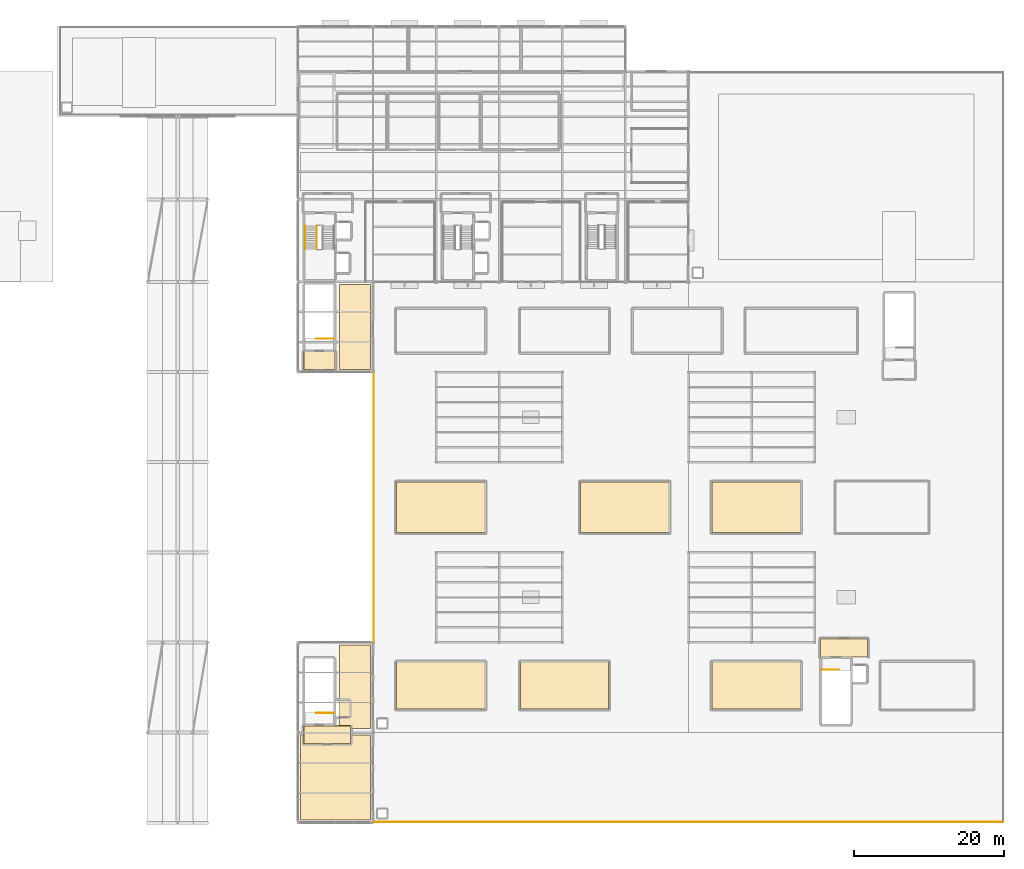
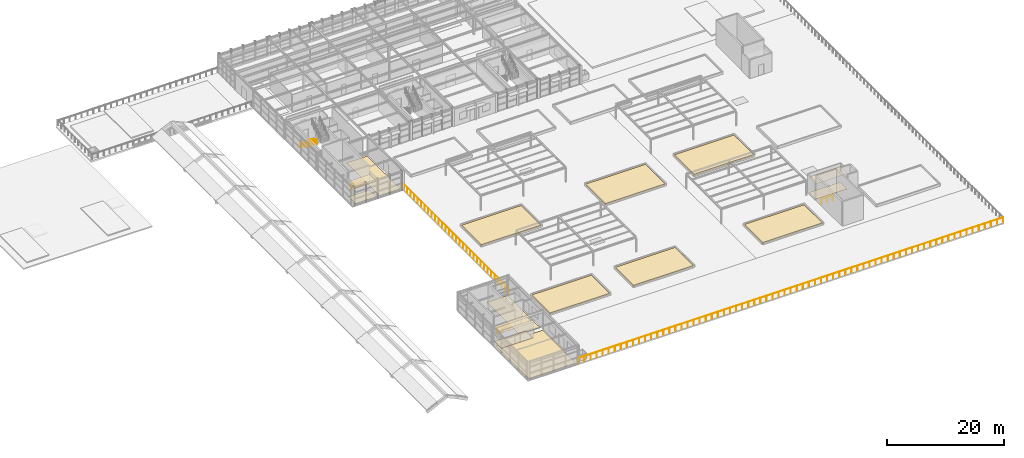
# One storey, part 46 of 49: 15 coverings, 7 railings.
"""IFC4 building model written with IfcOpenShell, lengths in metres."""

from ifc_helpers import new_model, si_unit, direction, frame, origin, origin_2d, place, context, subcontext, project, spatial, polyline, circle, outline, extrude, material, layer, layer_set, type_object, element, save


model = new_model("IFC4")

# Units and contexts
model_context = context("Model", 3, precision=1e-05, world=origin(), true_north=direction((0.0, 1.0)))
body_context = subcontext(model_context, "Body", "Model", "MODEL_VIEW")
ifc_project = project(units=[si_unit("LENGTHUNIT", "METRE"), si_unit("AREAUNIT", "SQUARE_METRE"), si_unit("VOLUMEUNIT", "CUBIC_METRE"), si_unit("PLANEANGLEUNIT", "RADIAN"), si_unit("MASSUNIT", "GRAM", prefix="KILO")], contexts=[model_context])

# Site, building, storey
site_placement = place(None, origin())
site = spatial("IfcSite", under=ifc_project, at=site_placement, CompositionType="ELEMENT")
building_placement = place(site_placement, origin())
building = spatial("IfcBuilding", under=site, at=building_placement, Name="Sitalva Quay Ferry Terminal", CompositionType="ELEMENT")
storey_placement = place(building_placement, frame((0.0, 0.0, 10.199951171875)))
storey = spatial("IfcBuildingStorey", under=building, at=storey_placement, Name="L03", CompositionType="ELEMENT", Elevation=10.199951171875)

# Coverings
ifc_material_1 = material(Name="Moisture-Resistant Acoustic Gypsum Ceiling", Category="gypsum")
ifc_layer_1 = layer(ifc_material_1, 0.02490234375)
ifc_layer_set_1 = layer_set([ifc_layer_1], Name="Moisture-Resistant Acoustic Gypsum Ceiling")
covering_type_1 = type_object("IfcCoveringType", Name="Ceiling_GypsumMoisture_25", PredefinedType="CEILING", material=ifc_layer_set_1)
covering_1_placement = place(storey_placement, frame((0.0, 0.0, 3.22509765625)))
element("IfcCovering", 1, at=covering_1_placement, inside=storey, type_object=covering_type_1, Name="Firefighting & Lift Lobby C6 ceiling", PredefinedType="CEILING", context=body_context, shape_type="SweptSolid", body=[
    extrude(outline(polyline([(74.739990234375, 16.489990234375), (81.06005859375, 16.489990234375), (81.06005859375, 18.9599609375), (74.739990234375, 18.9599609375), (74.739990234375, 16.489990234375)])), origin(), (0.0, 0.0, 1.0), 0.02490234375),
])
covering_2_placement = place(storey_placement, frame((0.0, 0.0, 3.22509765625)))
element("IfcCovering", 2, at=covering_2_placement, inside=storey, type_object=covering_type_1, Name="Firefighting & Lift Lobby C8 ceiling", PredefinedType="CEILING", context=body_context, shape_type="SweptSolid", body=[
    extrude(outline(polyline([(143.5400390625, 28.0400390625), (149.860107421875, 28.0400390625), (149.860107421875, 30.510009765625), (143.5400390625, 30.510009765625), (143.5400390625, 28.0400390625)])), origin(), (0.0, 0.0, 1.0), 0.02490234375),
])
covering_3_placement = place(storey_placement, frame((0.0, 0.0, 3.22509765625)))
element("IfcCovering", 3, at=covering_3_placement, inside=storey, type_object=covering_type_1, Name="Firefighting & Lift Lobby C11 ceiling", PredefinedType="CEILING", context=body_context, shape_type="SweptSolid", body=[
    extrude(outline(polyline([(74.739990234375, 66.2900390625), (78.9599609375, 66.2900390625), (78.9599609375, 68.760009765625), (74.739990234375, 68.760009765625), (74.739990234375, 66.2900390625)])), origin(), (0.0, 0.0, 1.0), 0.02490234375),
])
ifc_material_2 = material(Name="Planted Roof Garden Soil & Native Monsoon Flora", Category="earth")
ifc_layer_2 = layer(ifc_material_2, 0.300048828125)
ifc_layer_set_2 = layer_set([ifc_layer_2], Name="Planted Roof Garden Soil & Native Monsoon Flora")
covering_type_2 = type_object("IfcCoveringType", Name="Covering_PlantedParterre_300", PredefinedType="FLOORING", material=ifc_layer_set_2)
covering_4_placement = place(storey_placement, origin())
element("IfcCovering", 4, at=covering_4_placement, inside=storey, type_object=covering_type_2, Name="Landscaped roof-park planted parterre bed 01", PredefinedType="FLOORING", context=body_context, shape_type="SweptSolid", body=[
    extrude(outline(polyline([(87.1201171875, 21.1201171875), (98.8798828125, 21.1201171875), (98.8798828125, 27.3798828125), (87.1201171875, 27.3798828125), (87.1201171875, 21.1201171875)])), origin(), (0.0, 0.0, 1.0), 0.300048828125),
])
covering_5_placement = place(storey_placement, origin())
element("IfcCovering", 5, at=covering_5_placement, inside=storey, type_object=covering_type_2, Name="Landscaped roof-park planted parterre bed 02", PredefinedType="FLOORING", context=body_context, shape_type="SweptSolid", body=[
    extrude(outline(polyline([(103.6201171875, 21.1201171875), (115.3798828125, 21.1201171875), (115.3798828125, 27.3798828125), (103.6201171875, 27.3798828125), (103.6201171875, 21.1201171875)])), origin(), (0.0, 0.0, 1.0), 0.300048828125),
])
covering_6_placement = place(storey_placement, origin())
element("IfcCovering", 6, at=covering_6_placement, inside=storey, type_object=covering_type_2, Name="Landscaped roof-park planted parterre bed 03", PredefinedType="FLOORING", context=body_context, shape_type="SweptSolid", body=[
    extrude(outline(polyline([(129.1201171875, 21.1201171875), (140.8798828125, 21.1201171875), (140.8798828125, 27.3798828125), (129.1201171875, 27.3798828125), (129.1201171875, 21.1201171875)])), origin(), (0.0, 0.0, 1.0), 0.300048828125),
])
covering_7_placement = place(storey_placement, origin())
element("IfcCovering", 7, at=covering_7_placement, inside=storey, type_object=covering_type_2, Name="Landscaped roof-park planted parterre bed 05", PredefinedType="FLOORING", context=body_context, shape_type="SweptSolid", body=[
    extrude(outline(polyline([(87.1201171875, 44.6201171875), (98.8798828125, 44.6201171875), (98.8798828125, 51.3798828125), (87.1201171875, 51.3798828125), (87.1201171875, 44.6201171875)])), origin(), (0.0, 0.0, 1.0), 0.300048828125),
])
covering_8_placement = place(storey_placement, origin())
element("IfcCovering", 8, at=covering_8_placement, inside=storey, type_object=covering_type_2, Name="Landscaped roof-park planted parterre bed 06", PredefinedType="FLOORING", context=body_context, shape_type="SweptSolid", body=[
    extrude(outline(polyline([(111.6201171875, 44.6201171875), (123.3798828125, 44.6201171875), (123.3798828125, 51.3798828125), (111.6201171875, 51.3798828125), (111.6201171875, 44.6201171875)])), origin(), (0.0, 0.0, 1.0), 0.300048828125),
])
covering_9_placement = place(storey_placement, origin())
element("IfcCovering", 9, at=covering_9_placement, inside=storey, type_object=covering_type_2, Name="Landscaped roof-park planted parterre bed 07", PredefinedType="FLOORING", context=body_context, shape_type="SweptSolid", body=[
    extrude(outline(polyline([(129.1201171875, 44.6201171875), (140.8798828125, 44.6201171875), (140.8798828125, 51.3798828125), (129.1201171875, 51.3798828125), (129.1201171875, 44.6201171875)])), origin(), (0.0, 0.0, 1.0), 0.300048828125),
])
ifc_material_3 = material(Name="Flamed Non-Slip Granite Paving", Category="masonry")
ifc_layer_3 = layer(ifc_material_3, 0.034912109375)
ifc_layer_set_3 = layer_set([ifc_layer_3], Name="Flamed Non-Slip Granite Paving")
covering_type_3 = type_object("IfcCoveringType", Name="Finish_Granite_35", PredefinedType="FLOORING", material=ifc_layer_set_3)
covering_10_placement = place(storey_placement, origin())
element("IfcCovering", 10, at=covering_10_placement, inside=storey, type_object=covering_type_3, Name="Firefighting & Lift Lobby C6 floor finish", PredefinedType="FLOORING", context=body_context, shape_type="SweptSolid", body=[
    extrude(outline(polyline([(74.7900390625, 16.5400390625), (81.010009765625, 16.5400390625), (81.010009765625, 18.909912109375), (74.7900390625, 18.909912109375), (74.7900390625, 16.5400390625)])), origin(), (0.0, 0.0, 1.0), 0.03515625),
])
covering_11_placement = place(storey_placement, origin())
element("IfcCovering", 11, at=covering_11_placement, inside=storey, type_object=covering_type_3, Name="Firefighting & Lift Lobby C8 floor finish", PredefinedType="FLOORING", context=body_context, shape_type="SweptSolid", body=[
    extrude(outline(polyline([(143.590087890625, 28.090087890625), (149.81005859375, 28.090087890625), (149.81005859375, 30.4599609375), (143.590087890625, 30.4599609375), (143.590087890625, 28.090087890625)])), origin(), (0.0, 0.0, 1.0), 0.03515625),
])
covering_12_placement = place(storey_placement, origin())
element("IfcCovering", 12, at=covering_12_placement, inside=storey, type_object=covering_type_3, Name="Firefighting & Lift Lobby C11 floor finish", PredefinedType="FLOORING", context=body_context, shape_type="SweptSolid", body=[
    extrude(outline(polyline([(74.7900390625, 66.340087890625), (78.909912109375, 66.340087890625), (78.909912109375, 68.7099609375), (74.7900390625, 68.7099609375), (74.7900390625, 66.340087890625)])), origin(), (0.0, 0.0, 1.0), 0.03515625),
])
covering_13_placement = place(storey_placement, origin())
element("IfcCovering", 13, at=covering_13_placement, inside=storey, type_object=covering_type_3, Name="Waterfront Promenade Cafe & Terrace Lounge flooring", PredefinedType="FLOORING", context=body_context, shape_type="SweptSolid", body=[
    extrude(outline(polyline([(74.35009765625, 6.35009765625), (83.64990234375, 6.35009765625), (83.64990234375, 17.64990234375), (74.35009765625, 17.64990234375), (74.35009765625, 6.35009765625)])), origin(), (0.0, 0.0, 1.0), 0.03515625),
])
covering_14_placement = place(storey_placement, origin())
element("IfcCovering", 14, at=covering_14_placement, inside=storey, type_object=covering_type_3, Name="Roof Park South Pavilion Lobby flooring", PredefinedType="FLOORING", context=body_context, shape_type="SweptSolid", body=[
    extrude(outline(polyline([(79.550048828125, 18.550048828125), (83.64990234375, 18.550048828125), (83.64990234375, 29.64990234375), (79.550048828125, 29.64990234375), (79.550048828125, 18.550048828125)])), origin(), (0.0, 0.0, 1.0), 0.03515625),
])
covering_15_placement = place(storey_placement, origin())
element("IfcCovering", 15, at=covering_15_placement, inside=storey, type_object=covering_type_3, Name="Roof Park North Pavilion Link flooring", PredefinedType="FLOORING", context=body_context, shape_type="SweptSolid", body=[
    extrude(outline(polyline([(79.550048828125, 66.35009765625), (83.64990234375, 66.35009765625), (83.64990234375, 77.64990234375), (79.550048828125, 77.64990234375), (79.550048828125, 66.35009765625)])), origin(), (0.0, 0.0, 1.0), 0.03515625),
])

# Railings
ifc_material_4 = material(Name="Stainless Steel 316L & Laminated Glass", Category="steel")
railing_type_1 = type_object("IfcRailingType", Name="Railing_Balustrade_1120", PredefinedType="BALUSTRADE", material=ifc_material_4)
railing_1_placement = place(storey_placement, frame((84.050048828125, 6.10009765625, 0.0)))
element("IfcRailing", 16, at=railing_1_placement, inside=storey, type_object=railing_type_1, Name="L03 L03 promenade and east roof park balustrade 035", PredefinedType="BALUSTRADE", context=body_context, shape_type="SweptSolid", body=[
    extrude(circle(Radius=0.02392578125, at=origin_2d()), frame((0.0, 0.0, 1.09619140625), z_axis=(1.0, 0.0, 0.0), x_axis=(0.0, 1.0, 0.0)), (0.0, 0.0, 1.0), 83.849853515625),
    extrude(circle(Radius=0.02099609375, at=origin_2d()), origin(), (0.0, 0.0, 1.0), 1.072021484375),
    extrude(circle(Radius=0.02099609375, at=origin_2d()), frame((1.19775390625, 0.0, 0.0)), (0.0, 0.0, 1.0), 1.072021484375),
    extrude(circle(Radius=0.02099609375, at=origin_2d()), frame((2.395751953125, 0.0, 0.0)), (0.0, 0.0, 1.0), 1.072021484375),
    extrude(circle(Radius=0.02099609375, at=origin_2d()), frame((3.593505859375, 0.0, 0.0)), (0.0, 0.0, 1.0), 1.072021484375),
    extrude(circle(Radius=0.02099609375, at=origin_2d()), frame((4.79150390625, 0.0, 0.0)), (0.0, 0.0, 1.0), 1.072021484375),
    extrude(circle(Radius=0.02099609375, at=origin_2d()), frame((5.9892578125, 0.0, 0.0)), (0.0, 0.0, 1.0), 1.072021484375),
    extrude(circle(Radius=0.02099609375, at=origin_2d()), frame((7.18701171875, 0.0, 0.0)), (0.0, 0.0, 1.0), 1.072021484375),
    extrude(circle(Radius=0.02099609375, at=origin_2d()), frame((8.385009765625, 0.0, 0.0)), (0.0, 0.0, 1.0), 1.072021484375),
    extrude(circle(Radius=0.02099609375, at=origin_2d()), frame((9.582763671875, 0.0, 0.0)), (0.0, 0.0, 1.0), 1.072021484375),
    extrude(circle(Radius=0.02099609375, at=origin_2d()), frame((10.78076171875, 0.0, 0.0)), (0.0, 0.0, 1.0), 1.072021484375),
    extrude(circle(Radius=0.02099609375, at=origin_2d()), frame((11.978515625, 0.0, 0.0)), (0.0, 0.0, 1.0), 1.072021484375),
    extrude(circle(Radius=0.02099609375, at=origin_2d()), frame((13.176513671875, 0.0, 0.0)), (0.0, 0.0, 1.0), 1.072021484375),
    extrude(circle(Radius=0.02099609375, at=origin_2d()), frame((14.374267578125, 0.0, 0.0)), (0.0, 0.0, 1.0), 1.072021484375),
    extrude(circle(Radius=0.02099609375, at=origin_2d()), frame((15.572021484375, 0.0, 0.0)), (0.0, 0.0, 1.0), 1.072021484375),
    extrude(circle(Radius=0.02099609375, at=origin_2d()), frame((16.77001953125, 0.0, 0.0)), (0.0, 0.0, 1.0), 1.072021484375),
    extrude(circle(Radius=0.02099609375, at=origin_2d()), frame((17.9677734375, 0.0, 0.0)), (0.0, 0.0, 1.0), 1.072021484375),
    extrude(circle(Radius=0.02099609375, at=origin_2d()), frame((19.165771484375, 0.0, 0.0)), (0.0, 0.0, 1.0), 1.072021484375),
    extrude(circle(Radius=0.02099609375, at=origin_2d()), frame((20.363525390625, 0.0, 0.0)), (0.0, 0.0, 1.0), 1.072021484375),
    extrude(circle(Radius=0.02099609375, at=origin_2d()), frame((21.561279296875, 0.0, 0.0)), (0.0, 0.0, 1.0), 1.072021484375),
    extrude(circle(Radius=0.02099609375, at=origin_2d()), frame((22.75927734375, 0.0, 0.0)), (0.0, 0.0, 1.0), 1.072021484375),
    extrude(circle(Radius=0.02099609375, at=origin_2d()), frame((23.95703125, 0.0, 0.0)), (0.0, 0.0, 1.0), 1.072021484375),
    extrude(circle(Radius=0.02099609375, at=origin_2d()), frame((25.155029296875, 0.0, 0.0)), (0.0, 0.0, 1.0), 1.072021484375),
    extrude(circle(Radius=0.02099609375, at=origin_2d()), frame((26.352783203125, 0.0, 0.0)), (0.0, 0.0, 1.0), 1.072021484375),
    extrude(circle(Radius=0.02099609375, at=origin_2d()), frame((27.55078125, 0.0, 0.0)), (0.0, 0.0, 1.0), 1.072021484375),
    extrude(circle(Radius=0.02099609375, at=origin_2d()), frame((28.74853515625, 0.0, 0.0)), (0.0, 0.0, 1.0), 1.072021484375),
    extrude(circle(Radius=0.02099609375, at=origin_2d()), frame((29.9462890625, 0.0, 0.0)), (0.0, 0.0, 1.0), 1.072021484375),
    extrude(circle(Radius=0.02099609375, at=origin_2d()), frame((31.144287109375, 0.0, 0.0)), (0.0, 0.0, 1.0), 1.072021484375),
    extrude(circle(Radius=0.02099609375, at=origin_2d()), frame((32.342041015625, 0.0, 0.0)), (0.0, 0.0, 1.0), 1.072021484375),
    extrude(circle(Radius=0.02099609375, at=origin_2d()), frame((33.5400390625, 0.0, 0.0)), (0.0, 0.0, 1.0), 1.072021484375),
    extrude(circle(Radius=0.02099609375, at=origin_2d()), frame((34.73779296875, 0.0, 0.0)), (0.0, 0.0, 1.0), 1.072021484375),
    extrude(circle(Radius=0.02099609375, at=origin_2d()), frame((35.935546875, 0.0, 0.0)), (0.0, 0.0, 1.0), 1.072021484375),
    extrude(circle(Radius=0.02099609375, at=origin_2d()), frame((37.133544921875, 0.0, 0.0)), (0.0, 0.0, 1.0), 1.072021484375),
    extrude(circle(Radius=0.02099609375, at=origin_2d()), frame((38.331298828125, 0.0, 0.0)), (0.0, 0.0, 1.0), 1.072021484375),
    extrude(circle(Radius=0.02099609375, at=origin_2d()), frame((39.529296875, 0.0, 0.0)), (0.0, 0.0, 1.0), 1.072021484375),
    extrude(circle(Radius=0.02099609375, at=origin_2d()), frame((40.72705078125, 0.0, 0.0)), (0.0, 0.0, 1.0), 1.072021484375),
    extrude(circle(Radius=0.02099609375, at=origin_2d()), frame((41.9248046875, 0.0, 0.0)), (0.0, 0.0, 1.0), 1.072021484375),
    extrude(circle(Radius=0.02099609375, at=origin_2d()), frame((43.122802734375, 0.0, 0.0)), (0.0, 0.0, 1.0), 1.072021484375),
    extrude(circle(Radius=0.02099609375, at=origin_2d()), frame((44.320556640625, 0.0, 0.0)), (0.0, 0.0, 1.0), 1.072021484375),
    extrude(circle(Radius=0.02099609375, at=origin_2d()), frame((45.5185546875, 0.0, 0.0)), (0.0, 0.0, 1.0), 1.072021484375),
    extrude(circle(Radius=0.02099609375, at=origin_2d()), frame((46.71630859375, 0.0, 0.0)), (0.0, 0.0, 1.0), 1.072021484375),
    extrude(circle(Radius=0.02099609375, at=origin_2d()), frame((47.914306640625, 0.0, 0.0)), (0.0, 0.0, 1.0), 1.072021484375),
    extrude(circle(Radius=0.02099609375, at=origin_2d()), frame((49.112060546875, 0.0, 0.0)), (0.0, 0.0, 1.0), 1.072021484375),
    extrude(circle(Radius=0.02099609375, at=origin_2d()), frame((50.309814453125, 0.0, 0.0)), (0.0, 0.0, 1.0), 1.072021484375),
    extrude(circle(Radius=0.02099609375, at=origin_2d()), frame((51.5078125, 0.0, 0.0)), (0.0, 0.0, 1.0), 1.072021484375),
    extrude(circle(Radius=0.02099609375, at=origin_2d()), frame((52.70556640625, 0.0, 0.0)), (0.0, 0.0, 1.0), 1.072021484375),
    extrude(circle(Radius=0.02099609375, at=origin_2d()), frame((53.903564453125, 0.0, 0.0)), (0.0, 0.0, 1.0), 1.072021484375),
    extrude(circle(Radius=0.02099609375, at=origin_2d()), frame((55.101318359375, 0.0, 0.0)), (0.0, 0.0, 1.0), 1.072021484375),
    extrude(circle(Radius=0.02099609375, at=origin_2d()), frame((56.299072265625, 0.0, 0.0)), (0.0, 0.0, 1.0), 1.072021484375),
    extrude(circle(Radius=0.02099609375, at=origin_2d()), frame((57.4970703125, 0.0, 0.0)), (0.0, 0.0, 1.0), 1.072021484375),
    extrude(circle(Radius=0.02099609375, at=origin_2d()), frame((58.69482421875, 0.0, 0.0)), (0.0, 0.0, 1.0), 1.072021484375),
    extrude(circle(Radius=0.02099609375, at=origin_2d()), frame((59.892822265625, 0.0, 0.0)), (0.0, 0.0, 1.0), 1.072021484375),
    extrude(circle(Radius=0.02099609375, at=origin_2d()), frame((61.090576171875, 0.0, 0.0)), (0.0, 0.0, 1.0), 1.072021484375),
    extrude(circle(Radius=0.02099609375, at=origin_2d()), frame((62.28857421875, 0.0, 0.0)), (0.0, 0.0, 1.0), 1.072021484375),
    extrude(circle(Radius=0.02099609375, at=origin_2d()), frame((63.486328125, 0.0, 0.0)), (0.0, 0.0, 1.0), 1.072021484375),
    extrude(circle(Radius=0.02099609375, at=origin_2d()), frame((64.68408203125, 0.0, 0.0)), (0.0, 0.0, 1.0), 1.072021484375),
    extrude(circle(Radius=0.02099609375, at=origin_2d()), frame((65.882080078125, 0.0, 0.0)), (0.0, 0.0, 1.0), 1.072021484375),
    extrude(circle(Radius=0.02099609375, at=origin_2d()), frame((67.079833984375, 0.0, 0.0)), (0.0, 0.0, 1.0), 1.072021484375),
    extrude(circle(Radius=0.02099609375, at=origin_2d()), frame((68.27783203125, 0.0, 0.0)), (0.0, 0.0, 1.0), 1.072021484375),
    extrude(circle(Radius=0.02099609375, at=origin_2d()), frame((69.4755859375, 0.0, 0.0)), (0.0, 0.0, 1.0), 1.072021484375),
    extrude(circle(Radius=0.02099609375, at=origin_2d()), frame((70.67333984375, 0.0, 0.0)), (0.0, 0.0, 1.0), 1.072021484375),
    extrude(circle(Radius=0.02099609375, at=origin_2d()), frame((71.871337890625, 0.0, 0.0)), (0.0, 0.0, 1.0), 1.072021484375),
    extrude(circle(Radius=0.02099609375, at=origin_2d()), frame((73.069091796875, 0.0, 0.0)), (0.0, 0.0, 1.0), 1.072021484375),
    extrude(circle(Radius=0.02099609375, at=origin_2d()), frame((74.26708984375, 0.0, 0.0)), (0.0, 0.0, 1.0), 1.072021484375),
    extrude(circle(Radius=0.02099609375, at=origin_2d()), frame((75.46484375, 0.0, 0.0)), (0.0, 0.0, 1.0), 1.072021484375),
    extrude(circle(Radius=0.02099609375, at=origin_2d()), frame((76.662841796875, 0.0, 0.0)), (0.0, 0.0, 1.0), 1.072021484375),
    extrude(circle(Radius=0.02099609375, at=origin_2d()), frame((77.860595703125, 0.0, 0.0)), (0.0, 0.0, 1.0), 1.072021484375),
    extrude(circle(Radius=0.02099609375, at=origin_2d()), frame((79.058349609375, 0.0, 0.0)), (0.0, 0.0, 1.0), 1.072021484375),
    extrude(circle(Radius=0.02099609375, at=origin_2d()), frame((80.25634765625, 0.0, 0.0)), (0.0, 0.0, 1.0), 1.072021484375),
    extrude(circle(Radius=0.02099609375, at=origin_2d()), frame((81.4541015625, 0.0, 0.0)), (0.0, 0.0, 1.0), 1.072021484375),
    extrude(circle(Radius=0.02099609375, at=origin_2d()), frame((82.652099609375, 0.0, 0.0)), (0.0, 0.0, 1.0), 1.072021484375),
    extrude(circle(Radius=0.02099609375, at=origin_2d()), frame((83.849853515625, 0.0, 0.0)), (0.0, 0.0, 1.0), 1.072021484375),
])
railing_2_placement = place(storey_placement, frame((84.10009765625, 30.050048828125, 0.0)))
element("IfcRailing", 17, at=railing_2_placement, inside=storey, type_object=railing_type_1, Name="L03 L03 roof park east-court balustrade 038", PredefinedType="BALUSTRADE", context=body_context, shape_type="SweptSolid", body=[
    extrude(circle(Radius=0.02392578125, at=origin_2d()), frame((0.0, 0.0, 1.09619140625), z_axis=(0.0, 1.0, 0.0), x_axis=(-1.0, 0.0, 0.0)), (0.0, 0.0, 1.0), 35.89990234375),
    extrude(circle(Radius=0.02099609375, at=origin_2d()), origin(), (0.0, 0.0, 1.0), 1.072021484375),
    extrude(circle(Radius=0.02099609375, at=origin_2d()), frame((0.0, 1.19677734375, 0.0)), (0.0, 0.0, 1.0), 1.072021484375),
    extrude(circle(Radius=0.02099609375, at=origin_2d()), frame((0.0, 2.393310546875, 0.0)), (0.0, 0.0, 1.0), 1.072021484375),
    extrude(circle(Radius=0.02099609375, at=origin_2d()), frame((0.0, 3.590087890625, 0.0)), (0.0, 0.0, 1.0), 1.072021484375),
    extrude(circle(Radius=0.02099609375, at=origin_2d()), frame((0.0, 4.78662109375, 0.0)), (0.0, 0.0, 1.0), 1.072021484375),
    extrude(circle(Radius=0.02099609375, at=origin_2d()), frame((0.0, 5.9833984375, 0.0)), (0.0, 0.0, 1.0), 1.072021484375),
    extrude(circle(Radius=0.02099609375, at=origin_2d()), frame((0.0, 7.179931640625, 0.0)), (0.0, 0.0, 1.0), 1.072021484375),
    extrude(circle(Radius=0.02099609375, at=origin_2d()), frame((0.0, 8.376708984375, 0.0)), (0.0, 0.0, 1.0), 1.072021484375),
    extrude(circle(Radius=0.02099609375, at=origin_2d()), frame((0.0, 9.5732421875, 0.0)), (0.0, 0.0, 1.0), 1.072021484375),
    extrude(circle(Radius=0.02099609375, at=origin_2d()), frame((0.0, 10.77001953125, 0.0)), (0.0, 0.0, 1.0), 1.072021484375),
    extrude(circle(Radius=0.02099609375, at=origin_2d()), frame((0.0, 11.966552734375, 0.0)), (0.0, 0.0, 1.0), 1.072021484375),
    extrude(circle(Radius=0.02099609375, at=origin_2d()), frame((0.0, 13.163330078125, 0.0)), (0.0, 0.0, 1.0), 1.072021484375),
    extrude(circle(Radius=0.02099609375, at=origin_2d()), frame((0.0, 14.35986328125, 0.0)), (0.0, 0.0, 1.0), 1.072021484375),
    extrude(circle(Radius=0.02099609375, at=origin_2d()), frame((0.0, 15.556640625, 0.0)), (0.0, 0.0, 1.0), 1.072021484375),
    extrude(circle(Radius=0.02099609375, at=origin_2d()), frame((0.0, 16.753173828125, 0.0)), (0.0, 0.0, 1.0), 1.072021484375),
    extrude(circle(Radius=0.02099609375, at=origin_2d()), frame((0.0, 17.949951171875, 0.0)), (0.0, 0.0, 1.0), 1.072021484375),
    extrude(circle(Radius=0.02099609375, at=origin_2d()), frame((0.0, 19.146728515625, 0.0)), (0.0, 0.0, 1.0), 1.072021484375),
    extrude(circle(Radius=0.02099609375, at=origin_2d()), frame((0.0, 20.34326171875, 0.0)), (0.0, 0.0, 1.0), 1.072021484375),
    extrude(circle(Radius=0.02099609375, at=origin_2d()), frame((0.0, 21.5400390625, 0.0)), (0.0, 0.0, 1.0), 1.072021484375),
    extrude(circle(Radius=0.02099609375, at=origin_2d()), frame((0.0, 22.736572265625, 0.0)), (0.0, 0.0, 1.0), 1.072021484375),
    extrude(circle(Radius=0.02099609375, at=origin_2d()), frame((0.0, 23.933349609375, 0.0)), (0.0, 0.0, 1.0), 1.072021484375),
    extrude(circle(Radius=0.02099609375, at=origin_2d()), frame((0.0, 25.1298828125, 0.0)), (0.0, 0.0, 1.0), 1.072021484375),
    extrude(circle(Radius=0.02099609375, at=origin_2d()), frame((0.0, 26.32666015625, 0.0)), (0.0, 0.0, 1.0), 1.072021484375),
    extrude(circle(Radius=0.02099609375, at=origin_2d()), frame((0.0, 27.523193359375, 0.0)), (0.0, 0.0, 1.0), 1.072021484375),
    extrude(circle(Radius=0.02099609375, at=origin_2d()), frame((0.0, 28.719970703125, 0.0)), (0.0, 0.0, 1.0), 1.072021484375),
    extrude(circle(Radius=0.02099609375, at=origin_2d()), frame((0.0, 29.91650390625, 0.0)), (0.0, 0.0, 1.0), 1.072021484375),
    extrude(circle(Radius=0.02099609375, at=origin_2d()), frame((0.0, 31.11328125, 0.0)), (0.0, 0.0, 1.0), 1.072021484375),
    extrude(circle(Radius=0.02099609375, at=origin_2d()), frame((0.0, 32.309814453125, 0.0)), (0.0, 0.0, 1.0), 1.072021484375),
    extrude(circle(Radius=0.02099609375, at=origin_2d()), frame((0.0, 33.506591796875, 0.0)), (0.0, 0.0, 1.0), 1.072021484375),
    extrude(circle(Radius=0.02099609375, at=origin_2d()), frame((0.0, 34.703125, 0.0)), (0.0, 0.0, 1.0), 1.072021484375),
    extrude(circle(Radius=0.02099609375, at=origin_2d()), frame((0.0, 35.89990234375, 0.0)), (0.0, 0.0, 1.0), 1.072021484375),
])
ifc_material_5 = material(Name="Galvanised Steel S275JR", Category="steel")
railing_type_2 = type_object("IfcRailingType", Name="Railing_Guard_1100", PredefinedType="GUARDRAIL", material=ifc_material_5)
railing_3_placement = place(storey_placement, frame((76.5, 85.449951171875, 0.175048828125)))
element("IfcRailing", 18, at=railing_3_placement, inside=storey, type_object=railing_type_2, Name="L03 ST-01 stair guard 1", PredefinedType="GUARDRAIL", context=body_context, shape_type="SweptSolid", body=[
    extrude(circle(Radius=0.02392578125, at=origin_2d()), frame((0.0, 0.0, 1.076171875), z_axis=(0.0, -0.847979421464, 0.530029150871), x_axis=(1.0, 0.0, 0.0)), (0.0, 0.0, 1.0), 3.632080078125),
    extrude(circle(Radius=0.02099609375, at=origin_2d()), origin(), (0.0, 0.0, 1.0), 1.052001953125),
    extrude(circle(Radius=0.02099609375, at=origin_2d()), frame((0.0, -0.77001953125, 0.481201171875)), (0.0, 0.0, 1.0), 1.052001953125),
    extrude(circle(Radius=0.02099609375, at=origin_2d()), frame((0.0, -1.5400390625, 0.96240234375)), (0.0, 0.0, 1.0), 1.052001953125),
    extrude(circle(Radius=0.02099609375, at=origin_2d()), frame((0.0, -2.309814453125, 1.44384765625)), (0.0, 0.0, 1.0), 1.052001953125),
    extrude(circle(Radius=0.02099609375, at=origin_2d()), frame((0.0, -3.079833984375, 1.925048828125)), (0.0, 0.0, 1.0), 1.052001953125),
])
railing_4_placement = place(storey_placement, frame((78.780029296875, 20.6298828125, 0.0)))
element("IfcRailing", 19, at=railing_4_placement, inside=storey, type_object=railing_type_2, Name="L03 ST-06 top well guard 1", PredefinedType="GUARDRAIL", context=body_context, shape_type="SweptSolid", body=[
    extrude(circle(Radius=0.02392578125, at=origin_2d()), frame((0.0, 0.0, 1.076171875), z_axis=(-1.0, 0.0, 0.0), x_axis=(0.0, -1.0, 0.0)), (0.0, 0.0, 1.0), 2.300048828125),
    extrude(circle(Radius=0.02099609375, at=origin_2d()), origin(), (0.0, 0.0, 1.0), 1.052001953125),
    extrude(circle(Radius=0.02099609375, at=origin_2d()), frame((-1.14990234375, 0.0, 0.0)), (0.0, 0.0, 1.0), 1.052001953125),
    extrude(circle(Radius=0.02099609375, at=origin_2d()), frame((-2.300048828125, 0.0, 0.0)), (0.0, 0.0, 1.0), 1.052001953125),
])
railing_5_placement = place(storey_placement, frame((143.719970703125, 26.3701171875, 0.0)))
element("IfcRailing", 20, at=railing_5_placement, inside=storey, type_object=railing_type_2, Name="L03 ST-08 top well guard 1", PredefinedType="GUARDRAIL", context=body_context, shape_type="SweptSolid", body=[
    extrude(circle(Radius=0.02392578125, at=origin_2d()), frame((0.0, 0.0, 1.076171875), z_axis=(1.0, 0.0, 0.0), x_axis=(0.0, 1.0, 0.0)), (0.0, 0.0, 1.0), 2.300048828125),
    extrude(circle(Radius=0.02099609375, at=origin_2d()), origin(), (0.0, 0.0, 1.0), 1.052001953125),
    extrude(circle(Radius=0.02099609375, at=origin_2d()), frame((1.14990234375, 0.0, 0.0)), (0.0, 0.0, 1.0), 1.052001953125),
    extrude(circle(Radius=0.02099609375, at=origin_2d()), frame((2.300048828125, 0.0, 0.0)), (0.0, 0.0, 1.0), 1.052001953125),
])
railing_6_placement = place(storey_placement, frame((78.780029296875, 70.429931640625, 0.0)))
element("IfcRailing", 21, at=railing_6_placement, inside=storey, type_object=railing_type_2, Name="L03 ST-13 top well guard 1", PredefinedType="GUARDRAIL", context=body_context, shape_type="SweptSolid", body=[
    extrude(circle(Radius=0.02392578125, at=origin_2d()), frame((0.0, 0.0, 1.076171875), z_axis=(-1.0, 0.0, 0.0), x_axis=(0.0, -1.0, 0.0)), (0.0, 0.0, 1.0), 2.300048828125),
    extrude(circle(Radius=0.02099609375, at=origin_2d()), origin(), (0.0, 0.0, 1.0), 1.052001953125),
    extrude(circle(Radius=0.02099609375, at=origin_2d()), frame((-1.14990234375, 0.0, 0.0)), (0.0, 0.0, 1.0), 1.052001953125),
    extrude(circle(Radius=0.02099609375, at=origin_2d()), frame((-2.300048828125, 0.0, 0.0)), (0.0, 0.0, 1.0), 1.052001953125),
])
ifc_material_6 = material(Name="Stainless Steel 316L", Category="steel")
railing_type_3 = type_object("IfcRailingType", Name="Railing_Handrail_900", PredefinedType="HANDRAIL", material=ifc_material_6)
railing_7_placement = place(storey_placement, frame((74.97998046875, 85.449951171875, 0.175048828125)))
element("IfcRailing", 22, at=railing_7_placement, inside=storey, type_object=railing_type_3, Name="L03 ST-01 stair handrail 1", PredefinedType="HANDRAIL", context=body_context, shape_type="SweptSolid", body=[
    extrude(circle(Radius=0.02392578125, at=origin_2d()), frame((0.0, 0.0, 0.8759765625), z_axis=(0.0, -0.847979421464, 0.530029150871), x_axis=(1.0, 0.0, 0.0)), (0.0, 0.0, 1.0), 3.632080078125),
    extrude(circle(Radius=0.02099609375, at=origin_2d()), origin(), (0.0, 0.0, 1.0), 0.851806640625),
    extrude(circle(Radius=0.02099609375, at=origin_2d()), frame((0.0, -0.77001953125, 0.481201171875)), (0.0, 0.0, 1.0), 0.851806640625),
    extrude(circle(Radius=0.02099609375, at=origin_2d()), frame((0.0, -1.5400390625, 0.96240234375)), (0.0, 0.0, 1.0), 0.851806640625),
    extrude(circle(Radius=0.02099609375, at=origin_2d()), frame((0.0, -2.309814453125, 1.44384765625)), (0.0, 0.0, 1.0), 0.851806640625),
    extrude(circle(Radius=0.02099609375, at=origin_2d()), frame((0.0, -3.079833984375, 1.925048828125)), (0.0, 0.0, 1.0), 0.851806640625),
])

save(model, "model.ifc")
